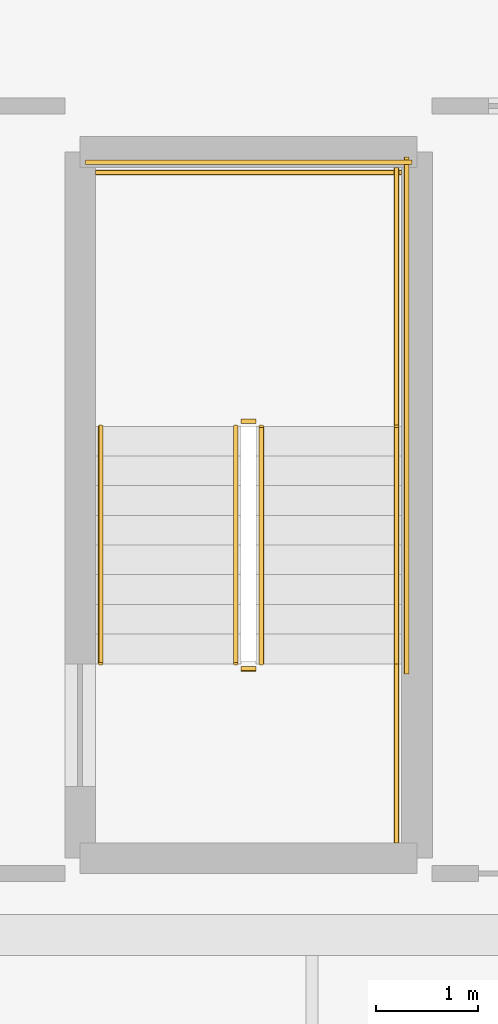
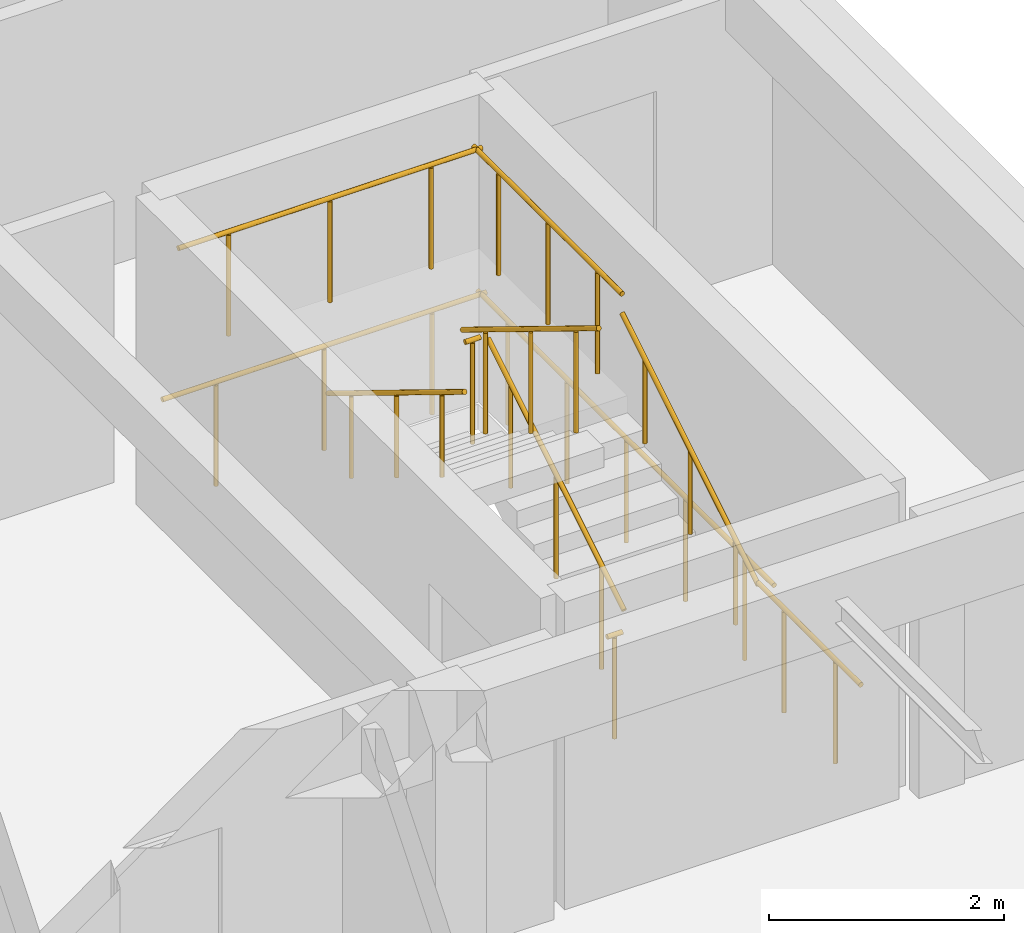
# One storey, part 83 of 89: 11 railings.
"""IFC4 building model written with IfcOpenShell, lengths in metres."""

from ifc_helpers import new_model, si_unit, direction, frame, origin, origin_2d, place, context, subcontext, project, spatial, circle, extrude, material, type_object, element, save


model = new_model("IFC4")

# Units and contexts
model_context = context("Model", 3, precision=1e-05, world=origin(), true_north=direction((0.0, 1.0)))
body_context = subcontext(model_context, "Body", "Model", "MODEL_VIEW")
ifc_project = project(units=[si_unit("LENGTHUNIT", "METRE"), si_unit("AREAUNIT", "SQUARE_METRE"), si_unit("VOLUMEUNIT", "CUBIC_METRE"), si_unit("PLANEANGLEUNIT", "RADIAN"), si_unit("MASSUNIT", "GRAM", prefix="KILO")], contexts=[model_context])

# Site, building, storey
site_placement = place(None, origin())
site = spatial("IfcSite", under=ifc_project, at=site_placement, CompositionType="ELEMENT")
building_placement = place(site_placement, origin())
building = spatial("IfcBuilding", under=site, at=building_placement, Name="Keldmere Railside Commons", CompositionType="ELEMENT")
storey_placement = place(building_placement, frame((0.0, 0.0, 7.360107421875)))
storey = spatial("IfcBuildingStorey", under=building, at=storey_placement, Name="L02", CompositionType="ELEMENT", Elevation=7.360107421875)

# Railings
ifc_material = material(Name="Steel F-24 (S235)", Category="steel")
railing_type_1 = type_object("IfcRailingType", Name="Stair Well Steel Guardrail 1100", PredefinedType="BALUSTRADE", material=ifc_material)
railing_1_placement = place(storey_placement, frame((171.280029296875, 22.050048828125, 0.177734375)))
element("IfcRailing", 1, at=railing_1_placement, inside=storey, type_object=railing_type_1, Name="L02 ST-M2 stair guard 1", PredefinedType="BALUSTRADE", context=body_context, shape_type="SweptSolid", body=[
    extrude(circle(Radius=0.02392578125, at=origin_2d()), frame((0.0, 0.0, 1.076171875), z_axis=(0.0, 0.852578041948, 0.522599925744), x_axis=(-1.0, 0.0, 0.0)), (0.0, 0.0, 1.0), 2.72119140625),
    extrude(circle(Radius=0.02099609375, at=origin_2d()), frame((0.0, 0.38671875, 0.237060546875)), (0.0, 0.0, 1.0), 1.048095703125),
    extrude(circle(Radius=0.02099609375, at=origin_2d()), frame((0.0, 1.16015625, 0.7109375)), (0.0, 0.0, 1.0), 1.048095703125),
    extrude(circle(Radius=0.02099609375, at=origin_2d()), frame((0.0, 1.933349609375, 1.18505859375)), (0.0, 0.0, 1.0), 1.048095703125),
])
railing_2_placement = place(storey_placement, frame((171.22998046875, 24.419921875, 1.599853515625)))
element("IfcRailing", 2, at=railing_2_placement, inside=storey, type_object=railing_type_1, Name="L02 ST-M2 stair guard 2", PredefinedType="BALUSTRADE", context=body_context, shape_type="SweptSolid", body=[
    extrude(circle(Radius=0.02392578125, at=origin_2d()), frame((0.0, 0.0, 1.076171875), z_axis=(-1.0, 0.0, 0.0), x_axis=(0.0, -1.0, 0.0)), (0.0, 0.0, 1.0), 0.14990234375),
    extrude(circle(Radius=0.02099609375, at=origin_2d()), frame((-0.074951171875, 0.0, 0.0)), (0.0, 0.0, 1.0), 1.048095703125),
])
railing_3_placement = place(storey_placement, frame((172.60009765625, 24.3701171875, 1.599853515625)))
element("IfcRailing", 3, at=railing_3_placement, inside=storey, type_object=railing_type_1, Name="L02 ST-M2 stair guard 3", PredefinedType="BALUSTRADE", context=body_context, shape_type="SweptSolid", body=[
    extrude(circle(Radius=0.02392578125, at=origin_2d()), frame((0.0, 0.0, 1.076171875), z_axis=(0.0, 1.0, 0.0), x_axis=(-1.0, 0.0, 0.0)), (0.0, 0.0, 1.0), 2.52978515625),
    extrude(circle(Radius=0.02099609375, at=origin_2d()), frame((0.0, 0.421630859375, 0.0)), (0.0, 0.0, 1.0), 1.048095703125),
    extrude(circle(Radius=0.02099609375, at=origin_2d()), frame((0.0, 1.264892578125, 0.0)), (0.0, 0.0, 1.0), 1.048095703125),
    extrude(circle(Radius=0.02099609375, at=origin_2d()), frame((0.0, 2.108154296875, 0.0)), (0.0, 0.0, 1.0), 1.048095703125),
])
railing_4_placement = place(storey_placement, frame((172.64990234375, 26.85009765625, 1.599853515625)))
element("IfcRailing", 4, at=railing_4_placement, inside=storey, type_object=railing_type_1, Name="L02 ST-M2 stair guard 4", PredefinedType="BALUSTRADE", context=body_context, shape_type="SweptSolid", body=[
    extrude(circle(Radius=0.02392578125, at=origin_2d()), frame((0.0, 0.0, 1.076171875), z_axis=(-1.0, 0.0, 0.0), x_axis=(0.0, -1.0, 0.0)), (0.0, 0.0, 1.0), 2.989990234375),
    extrude(circle(Radius=0.02099609375, at=origin_2d()), frame((-0.498291015625, 0.0, 0.0)), (0.0, 0.0, 1.0), 1.048095703125),
    extrude(circle(Radius=0.02099609375, at=origin_2d()), frame((-1.4951171875, 0.0, 0.0)), (0.0, 0.0, 1.0), 1.048095703125),
    extrude(circle(Radius=0.02099609375, at=origin_2d()), frame((-2.49169921875, 0.0, 0.0)), (0.0, 0.0, 1.0), 1.048095703125),
])
railing_5_placement = place(storey_placement, frame((171.030029296875, 24.3701171875, 1.777587890625)))
element("IfcRailing", 5, at=railing_5_placement, inside=storey, type_object=railing_type_1, Name="L02 ST-M2 stair guard 5", PredefinedType="BALUSTRADE", context=body_context, shape_type="SweptSolid", body=[
    extrude(circle(Radius=0.02392578125, at=origin_2d()), frame((0.0, 0.0, 1.076171875), z_axis=(0.0, -0.852538067394, 0.522665135287), x_axis=(1.0, 0.0, 0.0)), (0.0, 0.0, 1.0), 2.721435546875),
    extrude(circle(Radius=0.02099609375, at=origin_2d()), frame((0.0, -0.38671875, 0.237060546875)), (0.0, 0.0, 1.0), 1.048095703125),
    extrude(circle(Radius=0.02099609375, at=origin_2d()), frame((0.0, -1.16015625, 0.711181640625)), (0.0, 0.0, 1.0), 1.048095703125),
    extrude(circle(Radius=0.02099609375, at=origin_2d()), frame((0.0, -1.933349609375, 1.185302734375)), (0.0, 0.0, 1.0), 1.048095703125),
])
railing_6_placement = place(storey_placement, frame((171.22998046875, 22.0, 0.0)))
element("IfcRailing", 6, at=railing_6_placement, inside=storey, type_object=railing_type_1, Name="L02 ST-M2 stair guard 6", PredefinedType="BALUSTRADE", context=body_context, shape_type="SweptSolid", body=[
    extrude(circle(Radius=0.02392578125, at=origin_2d()), frame((0.0, 0.0, 1.076171875), z_axis=(-1.0, 0.0, 0.0), x_axis=(0.0, -1.0, 0.0)), (0.0, 0.0, 1.0), 0.14990234375),
    extrude(circle(Radius=0.02099609375, at=origin_2d()), frame((-0.074951171875, 0.0, 0.0)), (0.0, 0.0, 1.0), 1.048095703125),
])
railing_7_placement = place(storey_placement, frame((172.60009765625, 20.300048828125, 0.0)))
element("IfcRailing", 7, at=railing_7_placement, inside=storey, type_object=railing_type_1, Name="L02 ST-M2 stair guard 7", PredefinedType="BALUSTRADE", context=body_context, shape_type="SweptSolid", body=[
    extrude(circle(Radius=0.02392578125, at=origin_2d()), frame((0.0, 0.0, 1.076171875), z_axis=(0.0, 1.0, 0.0), x_axis=(-1.0, 0.0, 0.0)), (0.0, 0.0, 1.0), 1.75),
    extrude(circle(Radius=0.02099609375, at=origin_2d()), frame((0.0, 0.4375, 0.0)), (0.0, 0.0, 1.0), 1.048095703125),
    extrude(circle(Radius=0.02099609375, at=origin_2d()), frame((0.0, 1.3125, 0.0)), (0.0, 0.0, 1.0), 1.048095703125),
])
railing_8_placement = place(storey_placement, frame((172.699951171875, 21.949951171875, 0.0)))
element("IfcRailing", 8, at=railing_8_placement, inside=storey, type_object=railing_type_1, Name="L02 ST-M2 stair guard 8", PredefinedType="BALUSTRADE", context=body_context, shape_type="SweptSolid", body=[
    extrude(circle(Radius=0.02392578125, at=origin_2d()), frame((0.0, 0.0, 1.076171875), z_axis=(0.0, 1.0, 0.0), x_axis=(-1.0, 0.0, 0.0)), (0.0, 0.0, 1.0), 5.050048828125),
    extrude(circle(Radius=0.02099609375, at=origin_2d()), frame((0.0, 0.5048828125, 0.0)), (0.0, 0.0, 1.0), 1.048095703125),
    extrude(circle(Radius=0.02099609375, at=origin_2d()), frame((0.0, 1.51513671875, 0.0)), (0.0, 0.0, 1.0), 1.048095703125),
    extrude(circle(Radius=0.02099609375, at=origin_2d()), frame((0.0, 2.52490234375, 0.0)), (0.0, 0.0, 1.0), 1.048095703125),
    extrude(circle(Radius=0.02099609375, at=origin_2d()), frame((0.0, 3.534912109375, 0.0)), (0.0, 0.0, 1.0), 1.048095703125),
    extrude(circle(Radius=0.02099609375, at=origin_2d()), frame((0.0, 4.544921875, 0.0)), (0.0, 0.0, 1.0), 1.048095703125),
])
railing_9_placement = place(storey_placement, frame((172.75, 26.949951171875, 0.0)))
element("IfcRailing", 9, at=railing_9_placement, inside=storey, type_object=railing_type_1, Name="L02 ST-M2 stair guard 9", PredefinedType="BALUSTRADE", context=body_context, shape_type="SweptSolid", body=[
    extrude(circle(Radius=0.02392578125, at=origin_2d()), frame((0.0, 0.0, 1.076171875), z_axis=(-1.0, 0.0, 0.0), x_axis=(0.0, -1.0, 0.0)), (0.0, 0.0, 1.0), 3.18994140625),
    extrude(circle(Radius=0.02099609375, at=origin_2d()), frame((-0.53173828125, 0.0, 0.0)), (0.0, 0.0, 1.0), 1.048095703125),
    extrude(circle(Radius=0.02099609375, at=origin_2d()), frame((-1.594970703125, 0.0, 0.0)), (0.0, 0.0, 1.0), 1.048095703125),
    extrude(circle(Radius=0.02099609375, at=origin_2d()), frame((-2.658203125, 0.0, 0.0)), (0.0, 0.0, 1.0), 1.048095703125),
])
railing_type_2 = type_object("IfcRailingType", Name="Wall-Mounted Tubular Steel Handrail 900", PredefinedType="HANDRAIL", material=ifc_material)
railing_10_placement = place(storey_placement, frame((172.60009765625, 22.050048828125, 0.177734375)))
element("IfcRailing", 10, at=railing_10_placement, inside=storey, type_object=railing_type_2, Name="L02 ST-M2 stair handrail 1", PredefinedType="HANDRAIL", context=body_context, shape_type="SweptSolid", body=[
    extrude(circle(Radius=0.02392578125, at=origin_2d()), frame((0.0, 0.0, 0.8759765625), z_axis=(0.0, 0.852578041948, 0.522599925744), x_axis=(-1.0, 0.0, 0.0)), (0.0, 0.0, 1.0), 2.72119140625),
    extrude(circle(Radius=0.02099609375, at=origin_2d()), frame((0.0, 0.38671875, 0.237060546875)), (0.0, 0.0, 1.0), 0.847900390625),
    extrude(circle(Radius=0.02099609375, at=origin_2d()), frame((0.0, 1.16015625, 0.7109375)), (0.0, 0.0, 1.0), 0.847900390625),
    extrude(circle(Radius=0.02099609375, at=origin_2d()), frame((0.0, 1.933349609375, 1.18505859375)), (0.0, 0.0, 1.0), 0.847900390625),
])
railing_11_placement = place(storey_placement, frame((169.7099609375, 24.3701171875, 1.777587890625)))
element("IfcRailing", 11, at=railing_11_placement, inside=storey, type_object=railing_type_2, Name="L02 ST-M2 stair handrail 2", PredefinedType="HANDRAIL", context=body_context, shape_type="SweptSolid", body=[
    extrude(circle(Radius=0.02392578125, at=origin_2d()), frame((0.0, 0.0, 0.8759765625), z_axis=(0.0, -0.852538067394, 0.522665135287), x_axis=(1.0, 0.0, 0.0)), (0.0, 0.0, 1.0), 2.721435546875),
    extrude(circle(Radius=0.02099609375, at=origin_2d()), frame((0.0, -0.38671875, 0.237060546875)), (0.0, 0.0, 1.0), 0.847900390625),
    extrude(circle(Radius=0.02099609375, at=origin_2d()), frame((0.0, -1.16015625, 0.711181640625)), (0.0, 0.0, 1.0), 0.847900390625),
    extrude(circle(Radius=0.02099609375, at=origin_2d()), frame((0.0, -1.933349609375, 1.185302734375)), (0.0, 0.0, 1.0), 0.847900390625),
])

save(model, "model.ifc")
